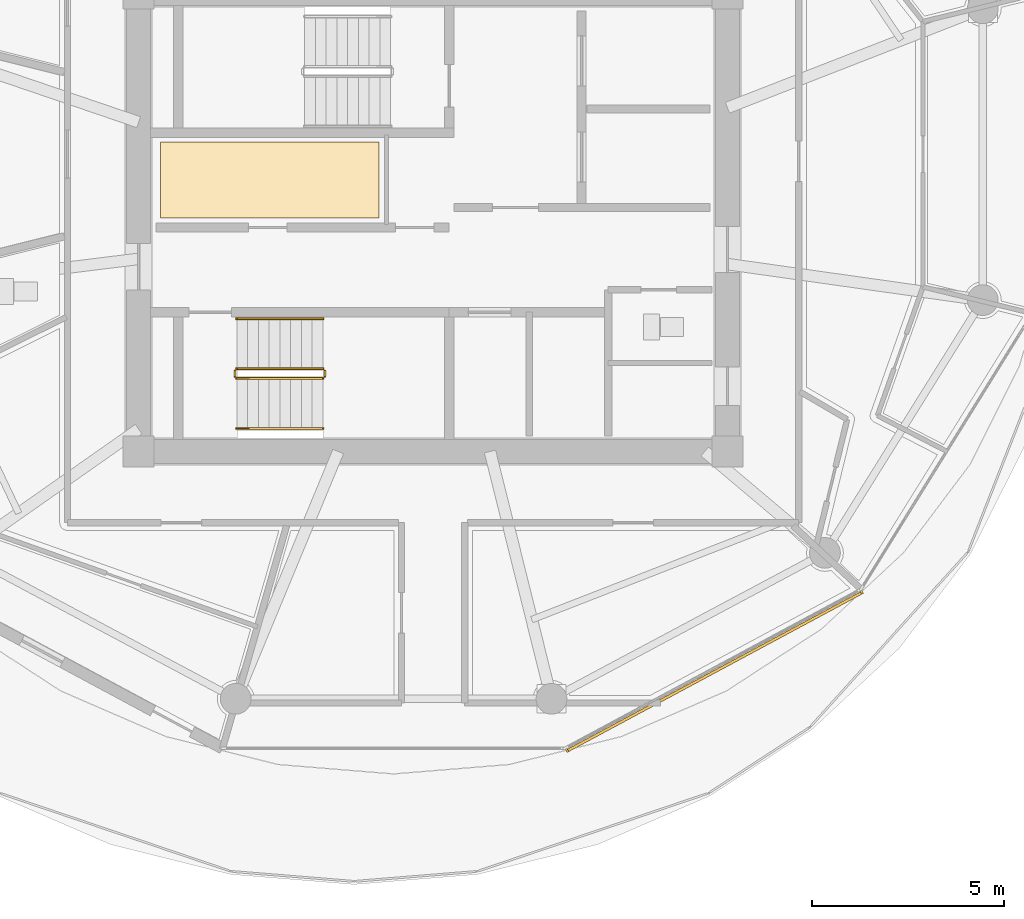
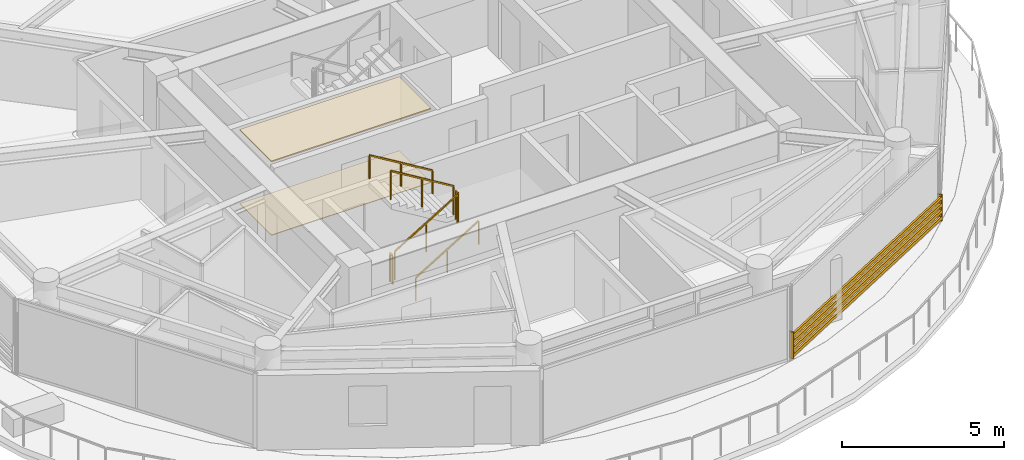
# One storey, part 23 of 28: 6 railings, 2 coverings, 1 shading device.
"""IFC4 building model written with IfcOpenShell, lengths in metres."""

from ifc_helpers import new_model, si_unit, direction, frame, origin, origin_2d, place, context, subcontext, project, spatial, polyline, rectangle, outline, extrude, source, transform, mapped, material, layer, layer_set, type_object, type_shapes, element, save


model = new_model("IFC4")

# Units and contexts
model_context = context("Model", 3, precision=1e-05, world=origin(), true_north=direction((0.0, 1.0)))
body_context = subcontext(model_context, "Body", "Model", "MODEL_VIEW")
ifc_project = project(units=[si_unit("LENGTHUNIT", "METRE"), si_unit("AREAUNIT", "SQUARE_METRE"), si_unit("VOLUMEUNIT", "CUBIC_METRE"), si_unit("PLANEANGLEUNIT", "RADIAN"), si_unit("MASSUNIT", "GRAM", prefix="KILO")], contexts=[model_context])

# Site, building, storey
site_placement = place(None, origin())
site = spatial("IfcSite", under=ifc_project, at=site_placement, CompositionType="ELEMENT")
building_placement = place(site_placement, origin())
building = spatial("IfcBuilding", under=site, at=building_placement, Name="Norrkilde Senior Care Towers", CompositionType="ELEMENT")
storey_placement = place(building_placement, frame((0.0, 0.0, 134.300048828125)))
storey = spatial("IfcBuildingStorey", under=building, at=storey_placement, Name="L41", CompositionType="ELEMENT", Elevation=134.300048828125)

# Coverings
ifc_material_1 = material(Name="Nordic Ash Timber", Category="wood")
ifc_layer_1 = layer(ifc_material_1, 0.044921875)
ifc_layer_set_1 = layer_set([ifc_layer_1], Name="Nordic Ash Timber")
covering_type_1 = type_object("IfcCoveringType", Name="Acoustic Ash Timber Slatted Ceiling 45", PredefinedType="CEILING", material=ifc_layer_set_1)
covering_1_placement = place(storey_placement, frame((0.0, 0.0, 2.764892578125)))
element("IfcCovering", 1, at=covering_1_placement, inside=storey, type_object=covering_type_1, Name="L41 Suspended Ceiling 0288", PredefinedType="CEILING", context=body_context, shape_type="SweptSolid", body=[
    extrude(outline(polyline([(20.919921875, 0.1201171875), (20.919921875, 2.090087890625), (26.60009765625, 2.090087890625), (26.60009765625, 0.1201171875), (20.919921875, 0.1201171875)])), origin(), (0.0, 0.0, 1.0), 0.045166015625),
])
ifc_material_2 = material(Name="Slip-Resistant Porcelain Stone", Category="masonry")
ifc_layer_2 = layer(ifc_material_2, 0.02490234375)
ifc_layer_set_2 = layer_set([ifc_layer_2], Name="Slip-Resistant Porcelain Stone")
covering_type_2 = type_object("IfcCoveringType", Name="Slip-Resistant Porcelain Flooring 25", PredefinedType="FLOORING", material=ifc_layer_set_2)
covering_2_placement = place(storey_placement, origin())
element("IfcCovering", 2, at=covering_2_placement, inside=storey, type_object=covering_type_2, Name="L41 Floor Finish 0288", PredefinedType="FLOORING", context=body_context, shape_type="SweptSolid", body=[
    extrude(outline(polyline([(20.919921875, 0.1201171875), (20.919921875, 2.090087890625), (26.60009765625, 2.090087890625), (26.60009765625, 0.1201171875), (20.919921875, 0.1201171875)])), origin(), (0.0, 0.0, 1.0), 0.02490234375),
])

# Railings
ifc_material_3 = material(Name="Stainless Steel", Category="steel")
railing_type_1 = type_object("IfcRailingType", Name="Stair and Terrace Guardrail 1100", PredefinedType="GUARDRAIL", material=ifc_material_3)
railing_1_placement = place(storey_placement, frame((22.89990234375, -4.050048828125, 0.16943359375)))
element("IfcRailing", 3, at=railing_1_placement, inside=storey, type_object=railing_type_1, Name="L41 ST-E2 stair guard 1", PredefinedType="GUARDRAIL", context=body_context, shape_type="SweptSolid", body=[
    extrude(rectangle(XDim=0.048095703125, YDim=0.048095703125, at=origin_2d()), frame((0.0, 0.0, 1.076171875), z_axis=(0.855553338991, 0.0, 0.51771467445), x_axis=(0.0, 1.0, 0.0)), (0.0, 0.0, 1.0), 2.6181640625),
    extrude(rectangle(XDim=0.0419921875, YDim=0.0419921875, at=origin_2d()), origin(), (0.0, 0.0, 1.0), 1.050048828125),
    extrude(rectangle(XDim=0.0419921875, YDim=0.0419921875, at=origin_2d()), frame((1.1201171875, 0.0, 0.677734375)), (0.0, 0.0, 1.0), 1.050048828125),
    extrude(rectangle(XDim=0.0419921875, YDim=0.0419921875, at=origin_2d()), frame((2.239990234375, 0.0, 1.35546875)), (0.0, 0.0, 1.0), 1.050048828125),
])
railing_2_placement = place(storey_placement, frame((25.18994140625, -4.0, 1.52490234375)))
element("IfcRailing", 4, at=railing_2_placement, inside=storey, type_object=railing_type_1, Name="L41 ST-E2 stair guard 2", PredefinedType="GUARDRAIL", context=body_context, shape_type="SweptSolid", body=[
    extrude(rectangle(XDim=0.048095703125, YDim=0.048095703125, at=origin_2d()), frame((0.0, 0.0, 1.076171875), z_axis=(0.0, 1.0, 0.0), x_axis=(-1.0, 0.0, 0.0)), (0.0, 0.0, 1.0), 0.14990234375),
    extrude(rectangle(XDim=0.0419921875, YDim=0.0419921875, at=origin_2d()), origin(), (0.0, 0.0, 1.0), 1.050048828125),
    extrude(rectangle(XDim=0.0419921875, YDim=0.0419921875, at=origin_2d()), frame((0.0, 0.14990234375, 0.0)), (0.0, 0.0, 1.0), 1.050048828125),
])
railing_3_placement = place(storey_placement, frame((25.139892578125, -3.800048828125, 1.6943359375)))
element("IfcRailing", 5, at=railing_3_placement, inside=storey, type_object=railing_type_1, Name="L41 ST-E2 stair guard 3", PredefinedType="GUARDRAIL", context=body_context, shape_type="SweptSolid", body=[
    extrude(rectangle(XDim=0.048095703125, YDim=0.048095703125, at=origin_2d()), frame((0.0, 0.0, 1.076171875), z_axis=(-0.855512035549, 0.0, 0.517782924622), x_axis=(0.0, -1.0, 0.0)), (0.0, 0.0, 1.0), 2.618408203125),
    extrude(rectangle(XDim=0.0419921875, YDim=0.0419921875, at=origin_2d()), origin(), (0.0, 0.0, 1.0), 1.050048828125),
    extrude(rectangle(XDim=0.0419921875, YDim=0.0419921875, at=origin_2d()), frame((-1.1201171875, 0.0, 0.677734375)), (0.0, 0.0, 1.0), 1.050048828125),
    extrude(rectangle(XDim=0.0419921875, YDim=0.0419921875, at=origin_2d()), frame((-2.239990234375, 0.0, 1.355712890625)), (0.0, 0.0, 1.0), 1.050048828125),
])
railing_4_placement = place(storey_placement, frame((22.85009765625, -4.0, 0.0)))
element("IfcRailing", 6, at=railing_4_placement, inside=storey, type_object=railing_type_1, Name="L41 ST-E2 stair guard 4", PredefinedType="GUARDRAIL", context=body_context, shape_type="SweptSolid", body=[
    extrude(rectangle(XDim=0.048095703125, YDim=0.048095703125, at=origin_2d()), frame((0.0, 0.0, 1.076171875), z_axis=(0.0, 1.0, 0.0), x_axis=(-1.0, 0.0, 0.0)), (0.0, 0.0, 1.0), 0.14990234375),
    extrude(rectangle(XDim=0.0419921875, YDim=0.0419921875, at=origin_2d()), origin(), (0.0, 0.0, 1.0), 1.050048828125),
    extrude(rectangle(XDim=0.0419921875, YDim=0.0419921875, at=origin_2d()), frame((0.0, 0.14990234375, 0.0)), (0.0, 0.0, 1.0), 1.050048828125),
])
railing_type_2 = type_object("IfcRailingType", Name="Wall and Stair Handrail 900", PredefinedType="HANDRAIL", material=ifc_material_1)
railing_5_placement = place(storey_placement, frame((22.89990234375, -5.35009765625, 0.16943359375)))
element("IfcRailing", 7, at=railing_5_placement, inside=storey, type_object=railing_type_2, Name="L41 ST-E2 stair handrail 1", PredefinedType="HANDRAIL", context=body_context, shape_type="SweptSolid", body=[
    extrude(rectangle(XDim=0.048095703125, YDim=0.048095703125, at=origin_2d()), frame((0.0, 0.0, 0.8759765625), z_axis=(0.855553338991, 0.0, 0.51771467445), x_axis=(0.0, 1.0, 0.0)), (0.0, 0.0, 1.0), 2.6181640625),
    extrude(rectangle(XDim=0.0419921875, YDim=0.0419921875, at=origin_2d()), origin(), (0.0, 0.0, 1.0), 0.849853515625),
    extrude(rectangle(XDim=0.0419921875, YDim=0.0419921875, at=origin_2d()), frame((1.1201171875, 0.0, 0.677734375)), (0.0, 0.0, 1.0), 0.849853515625),
    extrude(rectangle(XDim=0.0419921875, YDim=0.0419921875, at=origin_2d()), frame((2.239990234375, 0.0, 1.35546875)), (0.0, 0.0, 1.0), 0.849853515625),
])
railing_6_placement = place(storey_placement, frame((25.139892578125, -2.5, 1.6943359375)))
element("IfcRailing", 8, at=railing_6_placement, inside=storey, type_object=railing_type_2, Name="L41 ST-E2 stair handrail 2", PredefinedType="HANDRAIL", context=body_context, shape_type="SweptSolid", body=[
    extrude(rectangle(XDim=0.048095703125, YDim=0.048095703125, at=origin_2d()), frame((0.0, 0.0, 0.8759765625), z_axis=(-0.855512035549, 0.0, 0.517782924622), x_axis=(0.0, -1.0, 0.0)), (0.0, 0.0, 1.0), 2.618408203125),
    extrude(rectangle(XDim=0.0419921875, YDim=0.0419921875, at=origin_2d()), origin(), (0.0, 0.0, 1.0), 0.849853515625),
    extrude(rectangle(XDim=0.0419921875, YDim=0.0419921875, at=origin_2d()), frame((-1.1201171875, 0.0, 0.677734375)), (0.0, 0.0, 1.0), 0.849853515625),
    extrude(rectangle(XDim=0.0419921875, YDim=0.0419921875, at=origin_2d()), frame((-2.239990234375, 0.0, 1.355712890625)), (0.0, 0.0, 1.0), 0.849853515625),
])

# Shading device
ifc_material_4 = material(Name="Architectural Terracotta", Category="masonry")
shading_device_type = type_object("IfcShadingDeviceType", Name="Horizontal Terracotta Baguette Rack", PredefinedType="USERDEFINED", material=ifc_material_4)
shared_shape = source(origin(), body_context, "Body", "SweptSolid", [
    extrude(rectangle(XDim=0.070068359375, YDim=0.110107421875, at=origin_2d()), frame((0.0, 0.090087890625, 0.125), z_axis=(1.0, 0.0, 0.0), x_axis=(0.0, 1.0, 0.0)), (0.0, 0.0, 1.0), 8.74169921875),
    extrude(rectangle(XDim=0.070068359375, YDim=0.110107421875, at=origin_2d()), frame((0.0, 0.090087890625, 0.375), z_axis=(1.0, 0.0, 0.0), x_axis=(0.0, 1.0, 0.0)), (0.0, 0.0, 1.0), 8.74169921875),
    extrude(rectangle(XDim=0.070068359375, YDim=0.110107421875, at=origin_2d()), frame((0.0, 0.090087890625, 0.625), z_axis=(1.0, 0.0, 0.0), x_axis=(0.0, 1.0, 0.0)), (0.0, 0.0, 1.0), 8.74169921875),
    extrude(rectangle(XDim=0.070068359375, YDim=0.110107421875, at=origin_2d()), frame((0.0, 0.090087890625, 0.875), z_axis=(1.0, 0.0, 0.0), x_axis=(0.0, 1.0, 0.0)), (0.0, 0.0, 1.0), 8.74169921875),
    extrude(rectangle(XDim=0.050048828125, YDim=0.1552734375, at=origin_2d()), frame((0.02490234375, 0.047607421875, 0.0)), (0.0, 0.0, 1.0), 1.0),
    extrude(rectangle(XDim=0.050048828125, YDim=0.1552734375, at=origin_2d()), frame((8.716796875, 0.047607421875, 0.0)), (0.0, 0.0, 1.0), 1.0),
])
type_shapes(shading_device_type, [shared_shape])
shading_device_placement = place(storey_placement, frame((39.123046875, -9.524169921875, 0.079833984375), z_axis=(0.0, 0.0, 1.0), x_axis=(-0.880997598168, -0.47313299447, 0.0)))
element("IfcShadingDevice", 9, at=shading_device_placement, inside=storey, type_object=shading_device_type, Name="L41 Drum E Terracotta Baguette Screen 09", ObjectType="BAGUETTE", PredefinedType="USERDEFINED", context=body_context, shape_type="MappedRepresentation", body=[
    mapped(shared_shape, transform((0.0, 0.0, 0.0), x_axis=(1.0, 0.0, 0.0), y_axis=(0.0, 1.0, 0.0), z_axis=(0.0, 0.0, 1.0), scale=1.0)),
])

save(model, "model.ifc")
